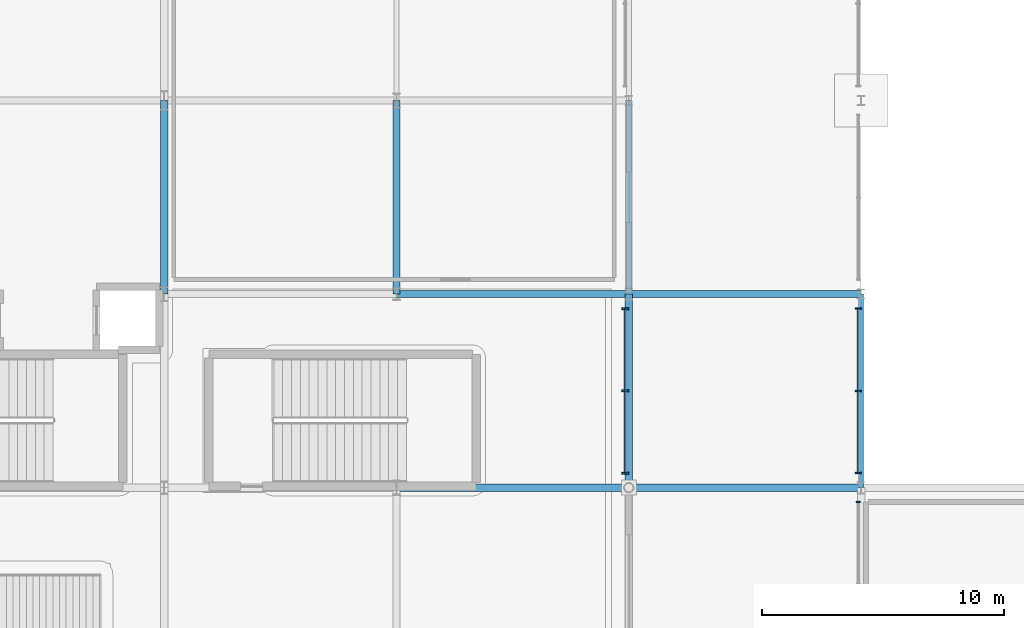
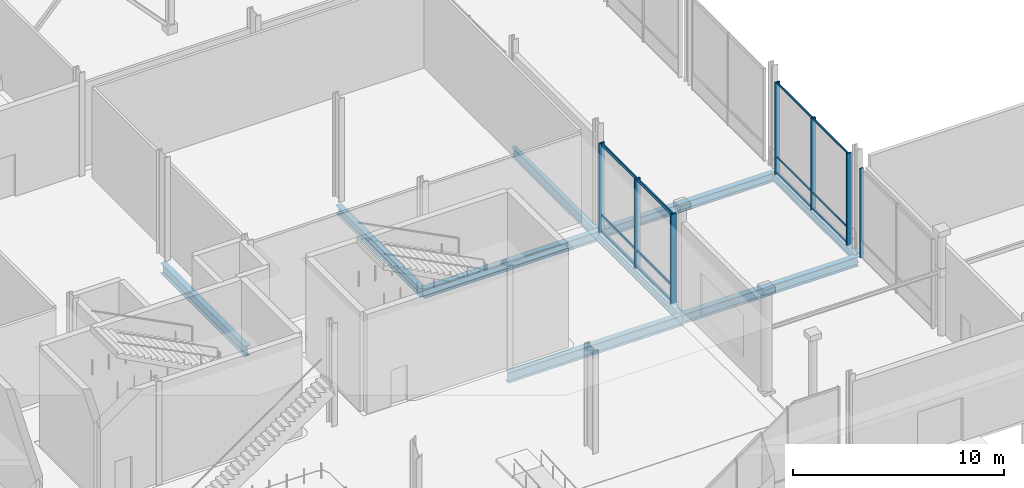
# One storey, part 42 of 124: 13 members, 9 beams, 3 elements without a shape of their own.
"""IFC4 building model written with IfcOpenShell, lengths in metres."""

from ifc_helpers import new_model, si_unit, direction, frame, origin, origin_2d, place, context, subcontext, project, spatial, rectangle, i_section, extrude, material, material_profile, profile_set, type_object, element, aggregate, save


model = new_model("IFC4")

# Units and contexts
model_context = context("Model", 3, precision=1e-05, world=origin(), true_north=direction((0.0, 1.0)))
body_context = subcontext(model_context, "Body", "Model", "MODEL_VIEW")
ifc_project = project(units=[si_unit("LENGTHUNIT", "METRE"), si_unit("AREAUNIT", "SQUARE_METRE"), si_unit("VOLUMEUNIT", "CUBIC_METRE"), si_unit("PLANEANGLEUNIT", "RADIAN"), si_unit("MASSUNIT", "GRAM", prefix="KILO")], contexts=[model_context])

# Site, building, storey
site_placement = place(None, origin())
site = spatial("IfcSite", under=ifc_project, at=site_placement, CompositionType="ELEMENT")
building_placement = place(site_placement, origin())
building = spatial("IfcBuilding", under=site, at=building_placement, Name="Danafjord Basin Convention Centre", CompositionType="ELEMENT")
storey_placement = place(building_placement, origin())
storey = spatial("IfcBuildingStorey", under=building, at=storey_placement, Name="L00", CompositionType="ELEMENT", Elevation=0.0)

# Beams
ifc_material_1 = material(Name="Steel S355", Category="steel")
ifc_material_profile_1 = material_profile(ifc_material_1, i_section(OverallWidth=0.300048828125, OverallDepth=0.5, WebThickness=0.014404296875, FlangeThickness=0.028076171875, FilletRadius=0.027099609375, at=origin_2d()), Name="HEB 500")
ifc_profile_set_1 = profile_set([ifc_material_profile_1], Name="Steel S355")
beam_type_1 = type_object("IfcBeamType", Name="BEAM-BM-HEB500", PredefinedType="BEAM", material=ifc_profile_set_1)
beam_1_placement = place(storey_placement, frame((115.199951171875, 24.0, -0.5400390625), z_axis=(1.0, 0.0, 0.0), x_axis=(0.0, 1.0, 0.0)))
element("IfcBeam", 1, at=beam_1_placement, inside=storey, type_object=beam_type_1, Name="L00 girder BM-HEB500", PredefinedType="BEAM", context=body_context, shape_type="SweptSolid", body=[
    extrude(i_section(OverallWidth=0.300048828125, OverallDepth=0.5, WebThickness=0.014404296875, FlangeThickness=0.028076171875, FilletRadius=0.027099609375, at=origin_2d()), origin(), (0.0, 0.0, 1.0), 9.60009765625),
])
for number, where, z_axis, x_axis, name in (
    (2, (105.60009765625, 24.0, -0.56005859375), (0.0, 1.0, 0.0), (-1.0, 0.0, 0.0), "L00 transverse girder BM-HEB500"),
    (3, (115.199951171875, 16.0, -0.56005859375), (0.0, 1.0, 0.0), (-1.0, 0.0, 0.0), "L00 transverse girder BM-HEB500"),
):
    element("IfcBeam", number, at=place(storey_placement, frame(where, z_axis=z_axis, x_axis=x_axis)), inside=storey, type_object=beam_type_1, Name=name, PredefinedType="BEAM", context=body_context, shape_type="SweptSolid", body=[
        extrude(i_section(OverallWidth=0.300048828125, OverallDepth=0.5, WebThickness=0.014404296875, FlangeThickness=0.028076171875, FilletRadius=0.027099609375, at=origin_2d()), origin(), (0.0, 0.0, 1.0), 8.0),
    ])
ifc_material_profile_2 = material_profile(ifc_material_1, i_section(OverallWidth=0.300048828125, OverallDepth=0.550048828125, WebThickness=0.014892578125, FlangeThickness=0.029052734375, FilletRadius=0.027099609375, at=origin_2d()), Name="HEB 550")
ifc_profile_set_2 = profile_set([ifc_material_profile_2], Name="Steel S355")
beam_type_2 = type_object("IfcBeamType", Name="BEAM-BM-HEB550", PredefinedType="BEAM", material=ifc_profile_set_2)
beam_2_placement = place(storey_placement, frame((105.60009765625, 24.0, -0.5849609375), z_axis=(1.0, 0.0, 0.0), x_axis=(0.0, 1.0, 0.0)))
element("IfcBeam", 4, at=beam_2_placement, inside=storey, type_object=beam_type_2, Name="L00 girder BM-HEB550", PredefinedType="BEAM", context=body_context, shape_type="SweptSolid", body=[
    extrude(i_section(OverallWidth=0.300048828125, OverallDepth=0.550048828125, WebThickness=0.014892578125, FlangeThickness=0.029052734375, FilletRadius=0.027099609375, at=origin_2d()), origin(), (0.0, 0.0, 1.0), 9.599853515625),
])
beam_3_placement = place(storey_placement, frame((115.199951171875, 16.0, -0.56494140625), z_axis=(1.0, 0.0, 0.0), x_axis=(0.0, 1.0, 0.0)))
element("IfcBeam", 5, at=beam_3_placement, inside=storey, type_object=beam_type_2, Name="L00 girder BM-HEB550", PredefinedType="BEAM", context=body_context, shape_type="SweptSolid", body=[
    extrude(i_section(OverallWidth=0.300048828125, OverallDepth=0.550048828125, WebThickness=0.014892578125, FlangeThickness=0.029052734375, FilletRadius=0.027099609375, at=origin_2d()), origin(), (0.0, 0.0, 1.0), 9.60009765625),
])
ifc_material_profile_3 = material_profile(ifc_material_1, i_section(OverallWidth=0.300048828125, OverallDepth=0.60009765625, WebThickness=0.015380859375, FlangeThickness=0.030029296875, FilletRadius=0.027099609375, at=origin_2d()), Name="HEB 600")
ifc_profile_set_3 = profile_set([ifc_material_profile_3], Name="Steel S355")
beam_type_3 = type_object("IfcBeamType", Name="BEAM-BM-HEB600", PredefinedType="BEAM", material=ifc_profile_set_3)
beam_4_placement = place(storey_placement, frame((105.60009765625, 16.0, -0.610107421875), z_axis=(1.0, 0.0, 0.0), x_axis=(0.0, 1.0, 0.0)))
element("IfcBeam", 6, at=beam_4_placement, inside=storey, type_object=beam_type_3, Name="L00 girder BM-HEB600", PredefinedType="BEAM", context=body_context, shape_type="SweptSolid", body=[
    extrude(i_section(OverallWidth=0.300048828125, OverallDepth=0.60009765625, WebThickness=0.015380859375, FlangeThickness=0.030029296875, FilletRadius=0.027099609375, at=origin_2d()), origin(), (0.0, 0.0, 1.0), 9.599853515625),
])
beam_5_placement = place(storey_placement, frame((96.0, 24.0, -0.610107421875), z_axis=(0.0, 1.0, 0.0), x_axis=(-1.0, 0.0, 0.0)))
element("IfcBeam", 7, at=beam_5_placement, inside=storey, type_object=beam_type_3, Name="L00 transverse girder BM-HEB600", PredefinedType="BEAM", context=body_context, shape_type="SweptSolid", body=[
    extrude(i_section(OverallWidth=0.300048828125, OverallDepth=0.60009765625, WebThickness=0.015380859375, FlangeThickness=0.030029296875, FilletRadius=0.027099609375, at=origin_2d()), origin(), (0.0, 0.0, 1.0), 8.0),
])
ifc_material_profile_4 = material_profile(ifc_material_1, i_section(OverallWidth=0.219970703125, OverallDepth=0.60009765625, WebThickness=0.011962890625, FlangeThickness=0.01904296875, FilletRadius=0.02392578125, at=origin_2d()), Name="IPE 600")
ifc_profile_set_4 = profile_set([ifc_material_profile_4], Name="Steel S355")
beam_type_4 = type_object("IfcBeamType", Name="BEAM-BM-IPE600", PredefinedType="BEAM", material=ifc_profile_set_4)
beam_6_placement = place(storey_placement, frame((115.199951171875, 24.0, -0.610107421875), z_axis=(0.0, 1.0, 0.0), x_axis=(-1.0, 0.0, 0.0)))
element("IfcBeam", 8, at=beam_6_placement, inside=storey, type_object=beam_type_4, Name="L00 transverse girder BM-IPE600", PredefinedType="BEAM", context=body_context, shape_type="SweptSolid", body=[
    extrude(i_section(OverallWidth=0.219970703125, OverallDepth=0.60009765625, WebThickness=0.011962890625, FlangeThickness=0.01904296875, FilletRadius=0.02392578125, at=origin_2d()), origin(), (0.0, 0.0, 1.0), 8.0),
])
ifc_material_profile_5 = material_profile(ifc_material_1, i_section(OverallWidth=0.18994140625, OverallDepth=0.449951171875, WebThickness=0.009521484375, FlangeThickness=0.0146484375, FilletRadius=0.02099609375, at=origin_2d()), Name="IPE 450")
ifc_profile_set_5 = profile_set([ifc_material_profile_5], Name="Steel S355")
beam_type_5 = type_object("IfcBeamType", Name="BEAM-SP-IPE450", PredefinedType="SPANDREL", material=ifc_profile_set_5)
beam_7_placement = place(storey_placement, frame((124.800048828125, 16.0, -0.514892578125), z_axis=(0.0, 1.0, 0.0), x_axis=(-1.0, 0.0, 0.0)))
element("IfcBeam", 9, at=beam_7_placement, inside=storey, type_object=beam_type_5, Name="L00 transverse girder SP-IPE450", PredefinedType="SPANDREL", context=body_context, shape_type="SweptSolid", body=[
    extrude(i_section(OverallWidth=0.18994140625, OverallDepth=0.449951171875, WebThickness=0.009521484375, FlangeThickness=0.0146484375, FilletRadius=0.02099609375, at=origin_2d()), origin(), (0.0, 0.0, 1.0), 8.0),
])

# Curtain wall, member
ifc_material_2 = material(Name="Anodised aluminium and triple glazing", Category="aluminium")
curtain_wall_type_1 = type_object("IfcCurtainWallType", Name="CW-CW-BRIDGE", PredefinedType="NOTDEFINED", material=ifc_material_2)
curtain_wall_1_placement = place(storey_placement, origin())
curtain_wall_1 = element("IfcCurtainWall", 10, at=curtain_wall_1_placement, inside=storey, type_object=curtain_wall_type_1, Name="L00 CW-BRIDGE unitised curtain wall bay 151", PredefinedType="NOTDEFINED")
ifc_material_3 = material(Name="Anodised aluminium EN AW-6060", Category="aluminium")
ifc_material_profile_6 = material_profile(ifc_material_3, rectangle(XDim=0.06005859375, YDim=0.179931640625, at=origin_2d()), Name="MULL 60x180")
ifc_profile_set_6 = profile_set([ifc_material_profile_6], Name="Anodised aluminium EN AW-6060")
member_type_1 = type_object("IfcMemberType", Name="MEM-ML-180", PredefinedType="MULLION", material=ifc_profile_set_6)
member_1_placement = place(storey_placement, frame((124.679931640625, 15.39990234375, -0.02490234375), z_axis=(0.0, 0.0, 1.0), x_axis=(0.0, 1.0, 0.0)))
member_1 = element("IfcMember", 11, at=member_1_placement, type_object=member_type_1, Name="CW-L00-151 mullion 3", PredefinedType="MULLION", context=body_context, shape_type="SweptSolid", body=[
    extrude(rectangle(XDim=0.06005859375, YDim=0.179931640625, at=origin_2d()), origin(), (0.0, 0.0, 1.0), 5.184814453125),
])
aggregate(curtain_wall_1, [member_1])

# Curtain wall, members
curtain_wall_2_placement = place(storey_placement, origin())
curtain_wall_2 = element("IfcCurtainWall", 12, at=curtain_wall_2_placement, inside=storey, type_object=curtain_wall_type_1, Name="L00 CW-BRIDGE unitised curtain wall bay 153", PredefinedType="NOTDEFINED")
ifc_material_profile_7 = material_profile(ifc_material_3, rectangle(XDim=0.070068359375, YDim=0.260009765625, at=origin_2d()), Name="MULL 70x260")
ifc_profile_set_7 = profile_set([ifc_material_profile_7], Name="Anodised aluminium EN AW-6060")
member_type_2 = type_object("IfcMemberType", Name="MEM-ML-260", PredefinedType="MULLION", material=ifc_profile_set_7)
member_2_placement = place(storey_placement, frame((124.679931640625, 16.60009765625, -0.02490234375), z_axis=(0.0, 0.0, 1.0), x_axis=(0.0, 1.0, 0.0)))
member_2 = element("IfcMember", 13, at=member_2_placement, type_object=member_type_2, Name="CW-L00-153 mullion 1", PredefinedType="MULLION", context=body_context, shape_type="SweptSolid", body=[
    extrude(rectangle(XDim=0.070068359375, YDim=0.260009765625, at=origin_2d()), origin(), (0.0, 0.0, 1.0), 5.3349609375),
])
member_3_placement = place(storey_placement, frame((124.679931640625, 20.0, -0.02490234375), z_axis=(0.0, 0.0, 1.0), x_axis=(0.0, 1.0, 0.0)))
member_3 = element("IfcMember", 14, at=member_3_placement, type_object=member_type_2, Name="CW-L00-153 mullion 2", PredefinedType="MULLION", context=body_context, shape_type="SweptSolid", body=[
    extrude(rectangle(XDim=0.070068359375, YDim=0.260009765625, at=origin_2d()), origin(), (0.0, 0.0, 1.0), 5.3349609375),
])
member_4_placement = place(storey_placement, frame((124.679931640625, 23.39990234375, -0.02490234375), z_axis=(0.0, 0.0, 1.0), x_axis=(0.0, 1.0, 0.0)))
member_4 = element("IfcMember", 15, at=member_4_placement, type_object=member_type_2, Name="CW-L00-153 mullion 3", PredefinedType="MULLION", context=body_context, shape_type="SweptSolid", body=[
    extrude(rectangle(XDim=0.070068359375, YDim=0.260009765625, at=origin_2d()), origin(), (0.0, 0.0, 1.0), 5.3349609375),
])

curtain_wall_type_2 = type_object("IfcCurtainWallType", Name="CW-CW-TERR", PredefinedType="NOTDEFINED", material=ifc_material_2)
curtain_wall_3_placement = place(storey_placement, origin())
curtain_wall_3 = element("IfcCurtainWall", 16, at=curtain_wall_3_placement, inside=storey, type_object=curtain_wall_type_2, Name="L00 CW-TERR unitised curtain wall bay 44", PredefinedType="NOTDEFINED")
ifc_material_profile_8 = material_profile(ifc_material_3, rectangle(XDim=0.080078125, YDim=0.300048828125, at=origin_2d()), Name="MULL 80x300")
ifc_profile_set_8 = profile_set([ifc_material_profile_8], Name="Anodised aluminium EN AW-6060")
member_type_3 = type_object("IfcMemberType", Name="MEM-ML-300", PredefinedType="MULLION", material=ifc_profile_set_8)
member_5_placement = place(storey_placement, frame((115.050048828125, 16.60009765625, -0.02490234375), z_axis=(0.0, 0.0, 1.0), x_axis=(0.0, 1.0, 0.0)))
member_5 = element("IfcMember", 17, at=member_5_placement, type_object=member_type_3, Name="CW-L00-044 mullion 1", PredefinedType="MULLION", context=body_context, shape_type="SweptSolid", body=[
    extrude(rectangle(XDim=0.080078125, YDim=0.300048828125, at=origin_2d()), origin(), (0.0, 0.0, 1.0), 5.184814453125),
])
member_6_placement = place(storey_placement, frame((115.050048828125, 20.0, -0.02490234375), z_axis=(0.0, 0.0, 1.0), x_axis=(0.0, 1.0, 0.0)))
member_6 = element("IfcMember", 18, at=member_6_placement, type_object=member_type_3, Name="CW-L00-044 mullion 2", PredefinedType="MULLION", context=body_context, shape_type="SweptSolid", body=[
    extrude(rectangle(XDim=0.080078125, YDim=0.300048828125, at=origin_2d()), origin(), (0.0, 0.0, 1.0), 5.184814453125),
])
member_7_placement = place(storey_placement, frame((115.050048828125, 23.39990234375, -0.02490234375), z_axis=(0.0, 0.0, 1.0), x_axis=(0.0, 1.0, 0.0)))
member_7 = element("IfcMember", 19, at=member_7_placement, type_object=member_type_3, Name="CW-L00-044 mullion 3", PredefinedType="MULLION", context=body_context, shape_type="SweptSolid", body=[
    extrude(rectangle(XDim=0.080078125, YDim=0.300048828125, at=origin_2d()), origin(), (0.0, 0.0, 1.0), 5.184814453125),
])

# Member
ifc_material_profile_9 = material_profile(ifc_material_3, rectangle(XDim=0.06005859375, YDim=0.110107421875, at=origin_2d()), Name="TRAN 60x110")
ifc_profile_set_9 = profile_set([ifc_material_profile_9], Name="Anodised aluminium EN AW-6060")
member_type_4 = type_object("IfcMemberType", Name="MEM-TR-110", PredefinedType="USERDEFINED", material=ifc_profile_set_9)
member_8_placement = place(storey_placement, frame((124.679931640625, 16.60009765625, 0.06005859375), z_axis=(0.0, 1.0, 0.0), x_axis=(-1.0, 0.0, 0.0)))
member_8 = element("IfcMember", 20, at=member_8_placement, type_object=member_type_4, Name="CW-L00-153 transom 1", ObjectType="TRANSOM", PredefinedType="USERDEFINED", context=body_context, shape_type="SweptSolid", body=[
    extrude(rectangle(XDim=0.06005859375, YDim=0.110107421875, at=origin_2d()), origin(), (0.0, 0.0, 1.0), 6.7998046875),
])

member_9_placement = place(storey_placement, frame((124.679931640625, 16.60009765625, 0.949951171875), z_axis=(0.0, 1.0, 0.0), x_axis=(-1.0, 0.0, 0.0)))
member_9 = element("IfcMember", 21, at=member_9_placement, type_object=member_type_4, Name="CW-L00-153 transom 2", ObjectType="TRANSOM", PredefinedType="USERDEFINED", context=body_context, shape_type="SweptSolid", body=[
    extrude(rectangle(XDim=0.06005859375, YDim=0.110107421875, at=origin_2d()), origin(), (0.0, 0.0, 1.0), 6.7998046875),
])

member_10_placement = place(storey_placement, frame((124.679931640625, 16.60009765625, 5.239990234375), z_axis=(0.0, 1.0, 0.0), x_axis=(-1.0, 0.0, 0.0)))
member_10 = element("IfcMember", 22, at=member_10_placement, type_object=member_type_4, Name="CW-L00-153 transom 3", ObjectType="TRANSOM", PredefinedType="USERDEFINED", context=body_context, shape_type="SweptSolid", body=[
    extrude(rectangle(XDim=0.06005859375, YDim=0.110107421875, at=origin_2d()), origin(), (0.0, 0.0, 1.0), 6.7998046875),
])

aggregate(curtain_wall_2, [member_2, member_3, member_4, member_8, member_9, member_10])

ifc_material_profile_10 = material_profile(ifc_material_3, rectangle(XDim=0.06494140625, YDim=0.18994140625, at=origin_2d()), Name="TRAN 65x190")
ifc_profile_set_10 = profile_set([ifc_material_profile_10], Name="Anodised aluminium EN AW-6060")
member_type_5 = type_object("IfcMemberType", Name="MEM-TR-190", PredefinedType="USERDEFINED", material=ifc_profile_set_10)
member_11_placement = place(storey_placement, frame((115.050048828125, 16.60009765625, 0.06005859375), z_axis=(0.0, 1.0, 0.0), x_axis=(-1.0, 0.0, 0.0)))
member_11 = element("IfcMember", 23, at=member_11_placement, type_object=member_type_5, Name="CW-L00-044 transom 1", ObjectType="TRANSOM", PredefinedType="USERDEFINED", context=body_context, shape_type="SweptSolid", body=[
    extrude(rectangle(XDim=0.06494140625, YDim=0.18994140625, at=origin_2d()), origin(), (0.0, 0.0, 1.0), 6.7998046875),
])

member_12_placement = place(storey_placement, frame((115.050048828125, 16.60009765625, 0.949951171875), z_axis=(0.0, 1.0, 0.0), x_axis=(-1.0, 0.0, 0.0)))
member_12 = element("IfcMember", 24, at=member_12_placement, type_object=member_type_5, Name="CW-L00-044 transom 2", ObjectType="TRANSOM", PredefinedType="USERDEFINED", context=body_context, shape_type="SweptSolid", body=[
    extrude(rectangle(XDim=0.06494140625, YDim=0.18994140625, at=origin_2d()), origin(), (0.0, 0.0, 1.0), 6.7998046875),
])

member_13_placement = place(storey_placement, frame((115.050048828125, 16.60009765625, 5.090087890625), z_axis=(0.0, 1.0, 0.0), x_axis=(-1.0, 0.0, 0.0)))
member_13 = element("IfcMember", 25, at=member_13_placement, type_object=member_type_5, Name="CW-L00-044 transom 3", ObjectType="TRANSOM", PredefinedType="USERDEFINED", context=body_context, shape_type="SweptSolid", body=[
    extrude(rectangle(XDim=0.06494140625, YDim=0.18994140625, at=origin_2d()), origin(), (0.0, 0.0, 1.0), 6.7998046875),
])

aggregate(curtain_wall_3, [member_5, member_6, member_7, member_11, member_12, member_13])

save(model, "model.ifc")
